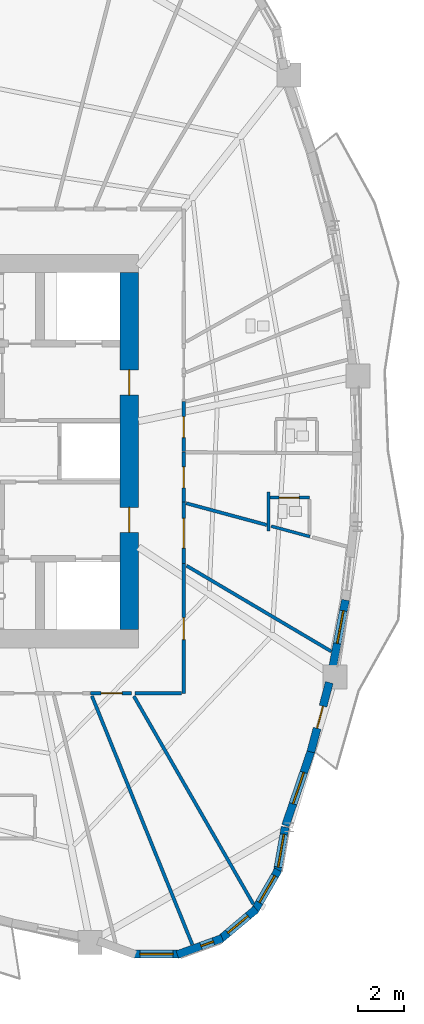
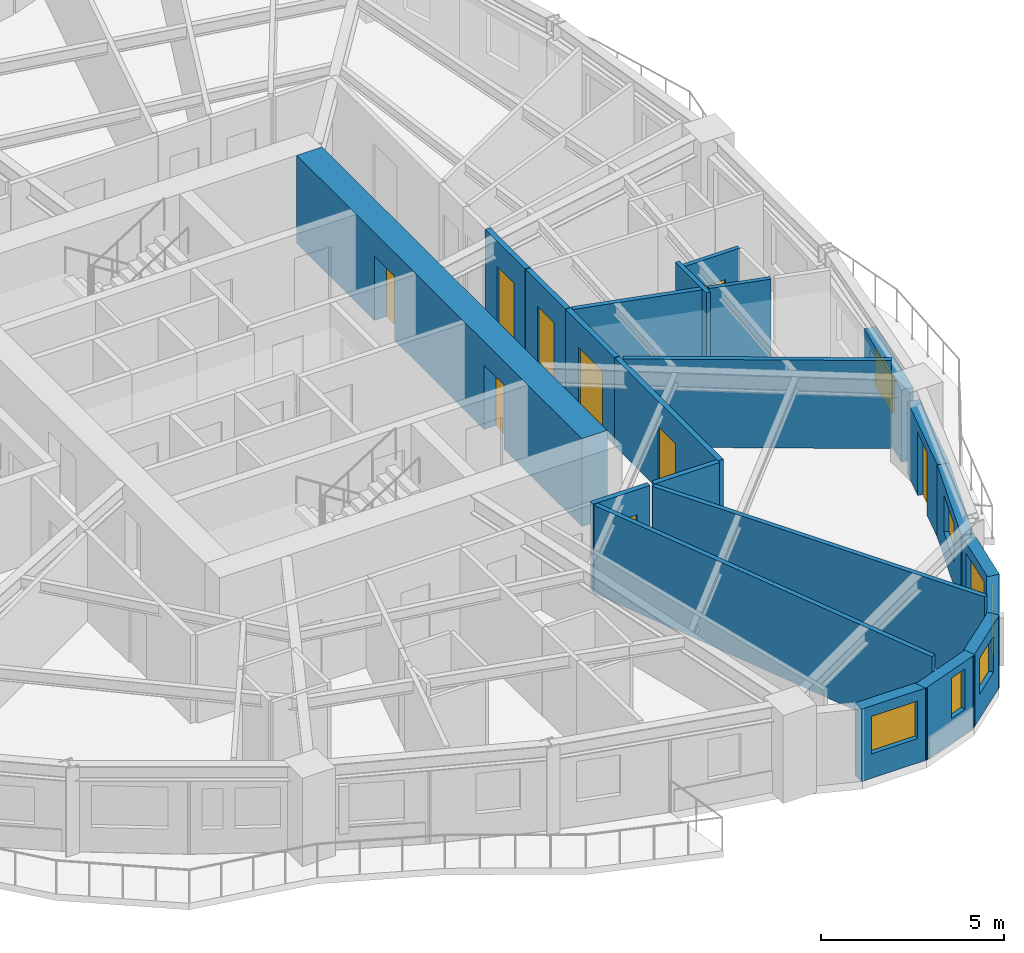
# One storey, part 6 of 13: 22 walls, 9 doors, 7 windows, 16 openings.
"""IFC4 building model written with IfcOpenShell, lengths in metres."""

from ifc_helpers import new_model, si_unit, direction, frame, frame_2d, origin, place, context, subcontext, project, spatial, rectangle, extrude, source, transform, mapped, material, layer, layer_set, type_object, element, fill, save


model = new_model("IFC4")

# Units and contexts
model_context = context("Model", 3, precision=1e-05, world=origin(), true_north=direction((0.0, 1.0)))
body_context = subcontext(model_context, "Body", "Model", "MODEL_VIEW")
ifc_project = project(units=[si_unit("LENGTHUNIT", "METRE"), si_unit("AREAUNIT", "SQUARE_METRE"), si_unit("VOLUMEUNIT", "CUBIC_METRE"), si_unit("PLANEANGLEUNIT", "RADIAN"), si_unit("MASSUNIT", "GRAM", prefix="KILO")], contexts=[model_context])

# Site, building, storey
site_placement = place(None, origin())
site = spatial("IfcSite", under=ifc_project, at=site_placement, CompositionType="ELEMENT")
building_placement = place(site_placement, origin())
building = spatial("IfcBuilding", under=site, at=building_placement, Name="Qafzar Sky-Pleat Residences", CompositionType="ELEMENT")
storey_placement = place(building_placement, frame((0.0, 0.0, 52.60009765625)))
storey = spatial("IfcBuildingStorey", under=building, at=storey_placement, Name="L15", CompositionType="ELEMENT", Elevation=52.60009765625)

# Wall, opening, door
ifc_material_1 = material(Name="Acoustic gypsum plasterboard partition", Category="gypsum")
ifc_layer_1 = layer(ifc_material_1, 0.159912109375)
ifc_layer_set_1 = layer_set([ifc_layer_1], Name="Acoustic gypsum plasterboard partition")
wall_type_1 = type_object("IfcWallType", Name="PART-COR-160", PredefinedType="PARTITIONING", material=ifc_layer_set_1)
wall_1_placement = place(storey_placement, frame((38.679931640625, 21.0859375, 0.0), z_axis=(0.0, 0.0, 1.0), x_axis=(0.0, -1.0, 0.0)))
wall_1 = element("IfcWall", 1, at=wall_1_placement, inside=storey, type_object=wall_type_1, Name="L15 Partition Wall PART-L15-PW-003", PredefinedType="PARTITIONING", context=body_context, shape_type="SweptSolid", body=[
    extrude(rectangle(XDim=5.666015625, YDim=0.159912109375, at=frame_2d((2.8330078125, 0.0))), origin(), (0.0, 0.0, 1.0), 2.93994140625),
])
opening_1_placement = place(wall_1_placement, frame((2.361572265625, 0.0, 0.0)))
opening_1 = element("IfcOpeningElement", 2, at=opening_1_placement, cuts=wall_1, Name="Opening ID-06", PredefinedType="OPENING", context=body_context, shape_type="SweptSolid", body=[
    extrude(rectangle(XDim=0.9599609375, YDim=2.10009765625, at=frame_2d((0.47998046875, 1.050048828125))), frame((0.0, 0.08984375, 0.0), z_axis=(0.0, -1.0, 0.0), x_axis=(1.0, 0.0, 0.0)), (0.0, 0.0, 1.0), 0.179931640625),
])
ifc_material_2 = material(Name="Timber-faced fire door", Category="wood")
door_type_1 = type_object("IfcDoorType", Name="DR-STD-960", OperationType="NOTDEFINED", PredefinedType="DOOR", material=ifc_material_2)
shared_shape_1 = source(origin(), body_context, "Body", "SweptSolid", [
    extrude(rectangle(XDim=0.9599609375, YDim=2.10009765625, at=frame_2d((0.47998046875, 1.050048828125))), frame((0.0, 0.02490234375, 0.0), z_axis=(0.0, -1.0, 0.0), x_axis=(1.0, 0.0, 0.0)), (0.0, 0.0, 1.0), 0.050048828125),
])
door_1_placement = place(opening_1_placement, origin())
door_1 = element("IfcDoor", 3, at=door_1_placement, inside=storey, type_object=door_type_1, Name="L15 Faculty Research Office Door", OperationType="SINGLE_SWING_RIGHT", OverallHeight=2.10009765625, OverallWidth=0.9599609375, PredefinedType="DOOR", context=body_context, shape_type="MappedRepresentation", body=[
    mapped(shared_shape_1, transform((0.0, 0.0, 0.0), x_axis=(1.0, 0.0, 0.0), y_axis=(0.0, 1.0, 0.0), z_axis=(0.0, 0.0, 1.0), scale=1.0)),
])
fill(opening_1, door_1)

wall_2_placement = place(storey_placement, frame((38.679931640625, 23.77001953125, 0.0), z_axis=(0.0, 0.0, 1.0), x_axis=(0.0, -1.0, 0.0)))
wall_2 = element("IfcWall", 4, at=wall_2_placement, inside=storey, type_object=wall_type_1, Name="L15 Partition Wall PART-L15-PW-011", PredefinedType="PARTITIONING", context=body_context, shape_type="SweptSolid", body=[
    extrude(rectangle(XDim=2.6689453125, YDim=0.159912109375, at=frame_2d((1.33447265625, 0.0))), origin(), (0.0, 0.0, 1.0), 2.93994140625),
])
opening_2_placement = place(wall_2_placement, frame((0.7080078125, 0.0, 0.0)))
opening_2 = element("IfcOpeningElement", 5, at=opening_2_placement, cuts=wall_2, Name="Opening ID-05", PredefinedType="OPENING", context=body_context, shape_type="SweptSolid", body=[
    extrude(rectangle(XDim=1.300048828125, YDim=2.10009765625, at=frame_2d((0.64990234375, 1.050048828125))), frame((0.0, 0.08984375, 0.0), z_axis=(0.0, -1.0, 0.0), x_axis=(1.0, 0.0, 0.0)), (0.0, 0.0, 1.0), 0.179931640625),
])
door_type_2 = type_object("IfcDoorType", Name="DR-LNG-1300", OperationType="DOUBLE_DOOR_SINGLE_SWING", PredefinedType="DOOR", material=ifc_material_2)
shared_shape_2 = source(origin(), body_context, "Body", "SweptSolid", [
    extrude(rectangle(XDim=1.300048828125, YDim=2.10009765625, at=frame_2d((0.64990234375, 1.050048828125))), frame((0.0, 0.02490234375, 0.0), z_axis=(0.0, -1.0, 0.0), x_axis=(1.0, 0.0, 0.0)), (0.0, 0.0, 1.0), 0.050048828125),
])
door_2_placement = place(opening_2_placement, origin())
door_2 = element("IfcDoor", 6, at=door_2_placement, inside=storey, type_object=door_type_2, Name="L15 Communal Kitchen Door", OperationType="DOUBLE_DOOR_SINGLE_SWING", OverallHeight=2.10009765625, OverallWidth=1.300048828125, PredefinedType="DOOR", context=body_context, shape_type="MappedRepresentation", body=[
    mapped(shared_shape_2, transform((0.0, 0.0, 0.0), x_axis=(1.0, 0.0, 0.0), y_axis=(0.0, 1.0, 0.0), z_axis=(0.0, 0.0, 1.0), scale=1.0)),
])
fill(opening_2, door_2)

wall_3_placement = place(storey_placement, frame((38.679931640625, 25.968017578125, 0.0), z_axis=(0.0, 0.0, 1.0), x_axis=(0.0, -1.0, 0.0)))
wall_3 = element("IfcWall", 7, at=wall_3_placement, inside=storey, type_object=wall_type_1, Name="L15 Partition Wall PART-L15-PW-014", PredefinedType="PARTITIONING", context=body_context, shape_type="SweptSolid", body=[
    extrude(rectangle(XDim=2.18310546875, YDim=0.159912109375, at=frame_2d((1.091552734375, 0.0))), origin(), (0.0, 0.0, 1.0), 2.93994140625),
])
opening_3_placement = place(wall_3_placement, frame((0.654052734375, 0.0, 0.0)))
opening_3 = element("IfcOpeningElement", 8, at=opening_3_placement, cuts=wall_3, Name="Opening ID-04", PredefinedType="OPENING", context=body_context, shape_type="SweptSolid", body=[
    extrude(rectangle(XDim=0.919921875, YDim=2.10009765625, at=frame_2d((0.4599609375, 1.050048828125))), frame((0.0, 0.08984375, 0.0), z_axis=(0.0, -1.0, 0.0), x_axis=(1.0, 0.0, 0.0)), (0.0, 0.0, 1.0), 0.179931640625),
])
door_type_3 = type_object("IfcDoorType", Name="DR-BED-920", OperationType="NOTDEFINED", PredefinedType="DOOR", material=ifc_material_2)
shared_shape_3 = source(origin(), body_context, "Body", "SweptSolid", [
    extrude(rectangle(XDim=0.919921875, YDim=2.10009765625, at=frame_2d((0.4599609375, 1.050048828125))), frame((0.0, 0.02490234375, 0.0), z_axis=(0.0, -1.0, 0.0), x_axis=(1.0, 0.0, 0.0)), (0.0, 0.0, 1.0), 0.050048828125),
])
door_3_placement = place(opening_3_placement, origin())
door_3 = element("IfcDoor", 9, at=door_3_placement, inside=storey, type_object=door_type_3, Name="L15 Co-Living Bedroom 3 Door", OperationType="SINGLE_SWING_RIGHT", OverallHeight=2.10009765625, OverallWidth=0.919921875, PredefinedType="DOOR", context=body_context, shape_type="MappedRepresentation", body=[
    mapped(shared_shape_3, transform((0.0, 0.0, 0.0), x_axis=(1.0, 0.0, 0.0), y_axis=(0.0, 1.0, 0.0), z_axis=(0.0, 0.0, 1.0), scale=1.0)),
])
fill(opening_3, door_3)

wall_4_placement = place(storey_placement, frame((38.679931640625, 28.1640625, 0.0), z_axis=(0.0, 0.0, 1.0), x_axis=(0.0, -1.0, 0.0)))
wall_4 = element("IfcWall", 10, at=wall_4_placement, inside=storey, type_object=wall_type_1, Name="L15 Partition Wall PART-L15-PW-015", PredefinedType="PARTITIONING", context=body_context, shape_type="SweptSolid", body=[
    extrude(rectangle(XDim=2.18115234375, YDim=0.159912109375, at=frame_2d((1.090576171875, 0.0))), origin(), (0.0, 0.0, 1.0), 2.93994140625),
])
opening_4_placement = place(wall_4_placement, frame((0.653564453125, 0.0, 0.0)))
opening_4 = element("IfcOpeningElement", 11, at=opening_4_placement, cuts=wall_4, Name="Opening ID-04", PredefinedType="OPENING", context=body_context, shape_type="SweptSolid", body=[
    extrude(rectangle(XDim=0.919921875, YDim=2.10009765625, at=frame_2d((0.4599609375, 1.050048828125))), frame((0.0, 0.08984375, 0.0), z_axis=(0.0, -1.0, 0.0), x_axis=(1.0, 0.0, 0.0)), (0.0, 0.0, 1.0), 0.179931640625),
])
door_4_placement = place(opening_4_placement, origin())
door_4 = element("IfcDoor", 12, at=door_4_placement, inside=storey, type_object=door_type_3, Name="L15 Co-Living Bedroom 4 Door", OperationType="SINGLE_SWING_LEFT", OverallHeight=2.10009765625, OverallWidth=0.919921875, PredefinedType="DOOR", context=body_context, shape_type="MappedRepresentation", body=[
    mapped(shared_shape_3, transform((0.0, 0.0, 0.0), x_axis=(1.0, 0.0, 0.0), y_axis=(0.0, 1.0, 0.0), z_axis=(0.0, 0.0, 1.0), scale=1.0)),
])
fill(opening_4, door_4)

wall_5_placement = place(storey_placement, frame((36.39794921875, 15.419921875, 0.0), z_axis=(0.0, 0.0, 1.0), x_axis=(-1.0, 0.0, 0.0)))
wall_5 = element("IfcWall", 13, at=wall_5_placement, inside=storey, type_object=wall_type_1, Name="L15 Partition Wall PART-L15-PW-025", PredefinedType="PARTITIONING", context=body_context, shape_type="SweptSolid", body=[
    extrude(rectangle(XDim=1.7919921875, YDim=0.159912109375, at=frame_2d((0.89599609375, 0.0))), origin(), (0.0, 0.0, 1.0), 2.93994140625),
])
opening_5_placement = place(wall_5_placement, frame((0.410888671875, 0.0, 0.0)))
opening_5 = element("IfcOpeningElement", 14, at=opening_5_placement, cuts=wall_5, Name="Opening ID-04", PredefinedType="OPENING", context=body_context, shape_type="SweptSolid", body=[
    extrude(rectangle(XDim=0.919921875, YDim=2.10009765625, at=frame_2d((0.4599609375, 1.050048828125))), frame((0.0, 0.08984375, 0.0), z_axis=(0.0, -1.0, 0.0), x_axis=(1.0, 0.0, 0.0)), (0.0, 0.0, 1.0), 0.179931640625),
])
door_5_placement = place(opening_5_placement, origin())
door_5 = element("IfcDoor", 15, at=door_5_placement, inside=storey, type_object=door_type_3, Name="L15 Co-Living Bedroom 2 Door", OperationType="SINGLE_SWING_LEFT", OverallHeight=2.10009765625, OverallWidth=0.919921875, PredefinedType="DOOR", context=body_context, shape_type="MappedRepresentation", body=[
    mapped(shared_shape_3, transform((0.0, 0.0, 0.0), x_axis=(1.0, 0.0, 0.0), y_axis=(0.0, 1.0, 0.0), z_axis=(0.0, 0.0, 1.0), scale=1.0)),
])
fill(opening_5, door_5)

# Walls
wall_6_placement = place(storey_placement, frame((36.550537109375, 15.419921875, 0.0), z_axis=(0.0, 0.0, 1.0), x_axis=(1.0, 0.0, 0.0)))
element("IfcWall", 16, at=wall_6_placement, inside=storey, type_object=wall_type_1, Name="L15 Partition Wall PART-L15-PW-056", PredefinedType="PARTITIONING", context=body_context, shape_type="SweptSolid", body=[
    extrude(rectangle(XDim=2.04150390625, YDim=0.159912109375, at=frame_2d((1.020751953125, 0.0))), origin(), (0.0, 0.0, 1.0), 2.93994140625),
])
ifc_layer_2 = layer(ifc_material_1, 0.14501953125)
ifc_layer_set_2 = layer_set([ifc_layer_2], Name="Acoustic gypsum plasterboard partition")
wall_type_2 = type_object("IfcWallType", Name="PART-UNIT-145", PredefinedType="PARTITIONING", material=ifc_layer_set_2)
wall_7_placement = place(storey_placement, frame((34.669189453125, 15.305419921875, 0.0), z_axis=(0.0, 0.0, 1.0), x_axis=(0.374459605158, -0.927243228126, 0.0)))
element("IfcWall", 17, at=wall_7_placement, inside=storey, type_object=wall_type_2, Name="L15 Partition Wall PART-L15-PW-031", PredefinedType="PARTITIONING", context=body_context, shape_type="SweptSolid", body=[
    extrude(rectangle(XDim=11.719482421875, YDim=0.14501953125, at=frame_2d((5.85986328125, 0.0))), origin(), (0.0, 0.0, 1.0), 2.93994140625),
])
wall_8_placement = place(storey_placement, frame((36.501708984375, 15.296875, 0.0), z_axis=(0.0, 0.0, 1.0), x_axis=(0.498240240214, -0.867039020478, 0.0)))
element("IfcWall", 18, at=wall_8_placement, inside=storey, type_object=wall_type_2, Name="L15 Partition Wall PART-L15-PW-037", PredefinedType="PARTITIONING", context=body_context, shape_type="SweptSolid", body=[
    extrude(rectangle(XDim=10.490478515625, YDim=0.14501953125, at=frame_2d((5.2451171875, 0.0))), origin(), (0.0, 0.0, 1.0), 2.93994140625),
])
wall_9_placement = place(storey_placement, frame((38.8037109375, 20.99560546875, 0.0), z_axis=(0.0, 0.0, 1.0), x_axis=(0.860541640281, -0.509380099084, 0.0)))
element("IfcWall", 19, at=wall_9_placement, inside=storey, type_object=wall_type_2, Name="L15 Partition Wall PART-L15-PW-040", PredefinedType="PARTITIONING", context=body_context, shape_type="SweptSolid", body=[
    extrude(rectangle(XDim=7.354248046875, YDim=0.14501953125, at=frame_2d((3.67724609375, 0.0))), origin(), (0.0, 0.0, 1.0), 2.93994140625),
])
wall_10_placement = place(storey_placement, frame((38.78662109375, 23.726318359375, 0.0), z_axis=(0.0, 0.0, 1.0), x_axis=(0.965490888833, -0.260436832228, 0.0)))
element("IfcWall", 20, at=wall_10_placement, inside=storey, type_object=wall_type_2, Name="L15 Partition Wall PART-L15-PW-048", PredefinedType="PARTITIONING", context=body_context, shape_type="SweptSolid", body=[
    extrude(rectangle(XDim=3.646484375, YDim=0.14501953125, at=frame_2d((1.8232421875, 0.0))), origin(), (0.0, 0.0, 1.0), 2.93994140625),
])

# Wall, opening, door
ifc_material_3 = material(Name="Moisture-resistant gypsum partition", Category="gypsum")
ifc_layer_3 = layer(ifc_material_3, 0.1298828125)
ifc_layer_set_3 = layer_set([ifc_layer_3], Name="Moisture-resistant gypsum partition")
wall_type_3 = type_object("IfcWallType", Name="PART-WET-130", PredefinedType="PARTITIONING", material=ifc_layer_set_3)
wall_11_placement = place(storey_placement, frame((44.18408203125, 23.971923828125, 0.0), z_axis=(0.0, 0.0, 1.0), x_axis=(-1.0, 0.0, 0.0)))
wall_11 = element("IfcWall", 21, at=wall_11_placement, inside=storey, type_object=wall_type_3, Name="L15 Partition Wall PART-L15-PW-024", PredefinedType="PARTITIONING", context=body_context, shape_type="SweptSolid", body=[
    extrude(rectangle(XDim=1.72705078125, YDim=0.1298828125, at=frame_2d((0.863525390625, 0.0))), origin(), (0.0, 0.0, 1.0), 2.93994140625),
])
opening_6_placement = place(wall_11_placement, frame((0.4599609375, 0.0, 0.0)))
opening_6 = element("IfcOpeningElement", 22, at=opening_6_placement, cuts=wall_11, Name="Opening ID-07", PredefinedType="OPENING", context=body_context, shape_type="SweptSolid", body=[
    extrude(rectangle(XDim=0.8798828125, YDim=2.050048828125, at=frame_2d((0.43994140625, 1.02490234375))), frame((0.0, 0.074951171875, 0.0), z_axis=(0.0, -1.0, 0.0), x_axis=(1.0, 0.0, 0.0)), (0.0, 0.0, 1.0), 0.14990234375),
])
door_type_4 = type_object("IfcDoorType", Name="DR-WET-880", OperationType="NOTDEFINED", PredefinedType="DOOR", material=ifc_material_2)
shared_shape_4 = source(origin(), body_context, "Body", "SweptSolid", [
    extrude(rectangle(XDim=0.8798828125, YDim=2.050048828125, at=frame_2d((0.43994140625, 1.02490234375))), frame((0.0, 0.02490234375, 0.0), z_axis=(0.0, -1.0, 0.0), x_axis=(1.0, 0.0, 0.0)), (0.0, 0.0, 1.0), 0.050048828125),
])
door_6_placement = place(opening_6_placement, origin())
door_6 = element("IfcDoor", 23, at=door_6_placement, inside=storey, type_object=door_type_4, Name="L15 En-suite Bathroom 3 Door", OperationType="SINGLE_SWING_RIGHT", OverallHeight=2.050048828125, OverallWidth=0.8798828125, PredefinedType="DOOR", context=body_context, shape_type="MappedRepresentation", body=[
    mapped(shared_shape_4, transform((0.0, 0.0, 0.0), x_axis=(1.0, 0.0, 0.0), y_axis=(0.0, 1.0, 0.0), z_axis=(0.0, 0.0, 1.0), scale=1.0)),
])
fill(opening_6, door_6)

# Walls
wall_12_placement = place(storey_placement, frame((42.503173828125, 22.723876953125, 0.0), z_axis=(0.0, 0.0, 1.0), x_axis=(0.965583538466, -0.260093118409, 0.0)))
element("IfcWall", 24, at=wall_12_placement, inside=storey, type_object=wall_type_3, Name="L15 Partition Wall PART-L15-PW-060", PredefinedType="PARTITIONING", context=body_context, shape_type="SweptSolid", body=[
    extrude(rectangle(XDim=1.75634765625, YDim=0.1298828125, at=frame_2d((0.878173828125, 0.0))), origin(), (0.0, 0.0, 1.0), 2.93994140625),
])
wall_13_placement = place(storey_placement, frame((42.384033203125, 22.51611328125, 0.0), z_axis=(0.0, 0.0, 1.0), x_axis=(0.0, 1.0, 0.0)))
element("IfcWall", 25, at=wall_13_placement, inside=storey, type_object=wall_type_3, Name="L15 Partition Wall PART-L15-PW-082", PredefinedType="PARTITIONING", context=body_context, shape_type="SweptSolid", body=[
    extrude(rectangle(XDim=1.69580078125, YDim=0.1298828125, at=frame_2d((0.847900390625, 0.0))), origin(), (0.0, 0.0, 1.0), 2.93994140625),
])

# Wall, opening, window
ifc_material_4 = material(Name="Precast concrete C40/50 with honed Riyadh limestone", Category="concrete")
ifc_layer_4 = layer(ifc_material_4, 0.35009765625)
ifc_layer_set_4 = layer_set([ifc_layer_4], Name="Precast concrete C40/50 with honed Riyadh limestone")
wall_type_4 = type_object("IfcWallType", Name="WALL-EXT-350", PredefinedType="SOLIDWALL", material=ifc_layer_set_4)
wall_14_placement = place(storey_placement, frame((36.44482421875, 4.02587890625, 0.0), z_axis=(0.0, 0.0, 1.0), x_axis=(1.0, 0.0, 0.0)))
wall_14 = element("IfcWall", 26, at=wall_14_placement, inside=storey, type_object=wall_type_4, Name="L15 Limestone Facade Wall 18", PredefinedType="SOLIDWALL", context=body_context, shape_type="SweptSolid", body=[
    extrude(rectangle(XDim=2.09033203125, YDim=0.35009765625, at=frame_2d((1.045166015625, 0.0))), origin(), (0.0, 0.0, 1.0), 2.419921875),
])
opening_7_placement = place(wall_14_placement, frame((0.3203125, 0.0, 0.820068359375)))
opening_7 = element("IfcOpeningElement", 27, at=opening_7_placement, cuts=wall_14, Name="Opening WN-15", PredefinedType="OPENING", context=body_context, shape_type="SweptSolid", body=[
    extrude(rectangle(XDim=1.449951171875, YDim=1.25, at=frame_2d((0.72509765625, 0.625))), frame((0.0, 0.18505859375, 0.0), z_axis=(0.0, -1.0, 0.0), x_axis=(1.0, 0.0, 0.0)), (0.0, 0.0, 1.0), 0.3701171875),
])
ifc_material_5 = material(Name="Solar-control low-E glass in bronze aluminium frame", Category="glass")
window_type_1 = type_object("IfcWindowType", Name="WIN-15", PartitioningType="SINGLE_PANEL", PredefinedType="WINDOW", material=ifc_material_5)
shared_shape_5 = source(origin(), body_context, "Body", "SweptSolid", [
    extrude(rectangle(XDim=1.449951171875, YDim=1.25, at=frame_2d((0.72509765625, 0.625))), frame((0.0, 0.030029296875, 0.0), z_axis=(0.0, -1.0, 0.0), x_axis=(1.0, 0.0, 0.0)), (0.0, 0.0, 1.0), 0.06005859375),
])
window_1_placement = place(opening_7_placement, origin())
window_1 = element("IfcWindow", 28, at=window_1_placement, inside=storey, type_object=window_type_1, Name="L15 Punched Facade Window 18", OverallHeight=1.25, OverallWidth=1.449951171875, PartitioningType="SINGLE_PANEL", PredefinedType="WINDOW", context=body_context, shape_type="MappedRepresentation", body=[
    mapped(shared_shape_5, transform((0.0, 0.0, 0.0), x_axis=(1.0, 0.0, 0.0), y_axis=(0.0, 1.0, 0.0), z_axis=(0.0, 0.0, 1.0), scale=1.0)),
])
fill(opening_7, window_1)

wall_15_placement = place(storey_placement, frame((38.401611328125, 4.00244140625, 0.0), z_axis=(0.0, 0.0, 1.0), x_axis=(0.939711556618, 0.341968113072, 0.0)))
wall_15 = element("IfcWall", 29, at=wall_15_placement, inside=storey, type_object=wall_type_4, Name="L15 Limestone Facade Wall 19", PredefinedType="SOLIDWALL", context=body_context, shape_type="SweptSolid", body=[
    extrude(rectangle(XDim=2.09033203125, YDim=0.35009765625, at=frame_2d((1.045166015625, 0.0))), origin(), (0.0, 0.0, 1.0), 2.419921875),
])
opening_8_placement = place(wall_15_placement, frame((1.09814453125, 0.0, 0.820068359375)))
opening_8 = element("IfcOpeningElement", 30, at=opening_8_placement, cuts=wall_15, Name="Opening WN-17", PredefinedType="OPENING", context=body_context, shape_type="SweptSolid", body=[
    extrude(rectangle(XDim=0.580078125, YDim=1.35009765625, at=frame_2d((0.2900390625, 0.675048828125))), frame((0.0, 0.18505859375, 0.0), z_axis=(0.0, -1.0, 0.0), x_axis=(1.0, 0.0, 0.0)), (0.0, 0.0, 1.0), 0.3701171875),
])
window_type_2 = type_object("IfcWindowType", Name="WIN-17", PartitioningType="SINGLE_PANEL", PredefinedType="WINDOW", material=ifc_material_5)
shared_shape_6 = source(origin(), body_context, "Body", "SweptSolid", [
    extrude(rectangle(XDim=0.580078125, YDim=1.35009765625, at=frame_2d((0.2900390625, 0.675048828125))), frame((0.0, 0.030029296875, 0.0), z_axis=(0.0, -1.0, 0.0), x_axis=(1.0, 0.0, 0.0)), (0.0, 0.0, 1.0), 0.06005859375),
])
window_2_placement = place(opening_8_placement, origin())
window_2 = element("IfcWindow", 31, at=window_2_placement, inside=storey, type_object=window_type_2, Name="L15 Punched Facade Window 19-2", OverallHeight=1.35009765625, OverallWidth=0.580078125, PartitioningType="SINGLE_PANEL", PredefinedType="WINDOW", context=body_context, shape_type="MappedRepresentation", body=[
    mapped(shared_shape_6, transform((0.0, 0.0, 0.0), x_axis=(1.0, 0.0, 0.0), y_axis=(0.0, 1.0, 0.0), z_axis=(0.0, 0.0, 1.0), scale=1.0)),
])
fill(opening_8, window_2)

wall_16_placement = place(storey_placement, frame((40.248291015625, 4.6494140625, 0.0), z_axis=(0.0, 0.0, 1.0), x_axis=(0.766024572719, 0.642811289563, 0.0)))
wall_16 = element("IfcWall", 32, at=wall_16_placement, inside=storey, type_object=wall_type_4, Name="L15 Limestone Facade Wall 20", PredefinedType="SOLIDWALL", context=body_context, shape_type="SweptSolid", body=[
    extrude(rectangle(XDim=2.09033203125, YDim=0.35009765625, at=frame_2d((1.045166015625, 0.0))), origin(), (0.0, 0.0, 1.0), 2.419921875),
])
opening_9_placement = place(wall_16_placement, frame((0.47021484375, 0.0, 0.820068359375)))
opening_9 = element("IfcOpeningElement", 33, at=opening_9_placement, cuts=wall_16, Name="Opening WN-16", PredefinedType="OPENING", context=body_context, shape_type="SweptSolid", body=[
    extrude(rectangle(XDim=1.14990234375, YDim=1.199951171875, at=frame_2d((0.574951171875, 0.60009765625))), frame((0.0, 0.18505859375, 0.0), z_axis=(0.0, -1.0, 0.0), x_axis=(1.0, 0.0, 0.0)), (0.0, 0.0, 1.0), 0.3701171875),
])
window_type_3 = type_object("IfcWindowType", Name="WIN-16", PartitioningType="SINGLE_PANEL", PredefinedType="WINDOW", material=ifc_material_5)
shared_shape_7 = source(origin(), body_context, "Body", "SweptSolid", [
    extrude(rectangle(XDim=1.14990234375, YDim=1.199951171875, at=frame_2d((0.574951171875, 0.60009765625))), frame((0.0, 0.030029296875, 0.0), z_axis=(0.0, -1.0, 0.0), x_axis=(1.0, 0.0, 0.0)), (0.0, 0.0, 1.0), 0.06005859375),
])
window_3_placement = place(opening_9_placement, origin())
window_3 = element("IfcWindow", 34, at=window_3_placement, inside=storey, type_object=window_type_3, Name="L15 Punched Facade Window 20", OverallHeight=1.199951171875, OverallWidth=1.14990234375, PartitioningType="SINGLE_PANEL", PredefinedType="WINDOW", context=body_context, shape_type="MappedRepresentation", body=[
    mapped(shared_shape_7, transform((0.0, 0.0, 0.0), x_axis=(1.0, 0.0, 0.0), y_axis=(0.0, 1.0, 0.0), z_axis=(0.0, 0.0, 1.0), scale=1.0)),
])
fill(opening_9, window_3)

wall_17_placement = place(storey_placement, frame((41.762451171875, 5.889404296875, 0.0), z_axis=(0.0, 0.0, 1.0), x_axis=(0.500046000743, 0.865998843614, 0.0)))
wall_17 = element("IfcWall", 35, at=wall_17_placement, inside=storey, type_object=wall_type_4, Name="L15 Limestone Facade Wall 21", PredefinedType="SOLIDWALL", context=body_context, shape_type="SweptSolid", body=[
    extrude(rectangle(XDim=2.090087890625, YDim=0.35009765625, at=frame_2d((1.044921875, 0.0))), origin(), (0.0, 0.0, 1.0), 2.419921875),
])
opening_10_placement = place(wall_17_placement, frame((0.450927734375, 0.0, 0.820068359375)))
opening_10 = element("IfcOpeningElement", 36, at=opening_10_placement, cuts=wall_17, Name="Opening WN-04", PredefinedType="OPENING", context=body_context, shape_type="SweptSolid", body=[
    extrude(rectangle(XDim=1.35009765625, YDim=1.449951171875, at=frame_2d((0.675048828125, 0.72509765625))), frame((0.0, 0.18505859375, 0.0), z_axis=(0.0, -1.0, 0.0), x_axis=(1.0, 0.0, 0.0)), (0.0, 0.0, 1.0), 0.3701171875),
])
window_type_4 = type_object("IfcWindowType", Name="WIN-04", PartitioningType="SINGLE_PANEL", PredefinedType="WINDOW", material=ifc_material_5)
shared_shape_8 = source(origin(), body_context, "Body", "SweptSolid", [
    extrude(rectangle(XDim=1.35009765625, YDim=1.449951171875, at=frame_2d((0.675048828125, 0.72509765625))), frame((0.0, 0.030029296875, 0.0), z_axis=(0.0, -1.0, 0.0), x_axis=(1.0, 0.0, 0.0)), (0.0, 0.0, 1.0), 0.06005859375),
])
window_4_placement = place(opening_10_placement, origin())
window_4 = element("IfcWindow", 37, at=window_4_placement, inside=storey, type_object=window_type_4, Name="L15 Punched Facade Window 21", OverallHeight=1.449951171875, OverallWidth=1.35009765625, PartitioningType="SINGLE_PANEL", PredefinedType="WINDOW", context=body_context, shape_type="MappedRepresentation", body=[
    mapped(shared_shape_8, transform((0.0, 0.0, 0.0), x_axis=(1.0, 0.0, 0.0), y_axis=(0.0, 1.0, 0.0), z_axis=(0.0, 0.0, 1.0), scale=1.0)),
])
fill(opening_10, window_4)

wall_18_placement = place(storey_placement, frame((42.76123046875, 7.572021484375, 0.0), z_axis=(0.0, 0.0, 1.0), x_axis=(0.17370309897, 0.984798067326, 0.0)))
wall_18 = element("IfcWall", 38, at=wall_18_placement, inside=storey, type_object=wall_type_4, Name="L15 Limestone Facade Wall 22", PredefinedType="SOLIDWALL", context=body_context, shape_type="SweptSolid", body=[
    extrude(rectangle(XDim=2.032470703125, YDim=0.35009765625, at=frame_2d((1.01611328125, 0.0))), origin(), (0.0, 0.0, 1.0), 2.419921875),
])
opening_11_placement = place(wall_18_placement, frame((0.26123046875, 0.0, 0.820068359375)))
opening_11 = element("IfcOpeningElement", 39, at=opening_11_placement, cuts=wall_18, Name="Opening WN-15", PredefinedType="OPENING", context=body_context, shape_type="SweptSolid", body=[
    extrude(rectangle(XDim=1.449951171875, YDim=1.25, at=frame_2d((0.72509765625, 0.625))), frame((0.0, 0.18505859375, 0.0), z_axis=(0.0, -1.0, 0.0), x_axis=(1.0, 0.0, 0.0)), (0.0, 0.0, 1.0), 0.3701171875),
])
window_5_placement = place(opening_11_placement, origin())
window_5 = element("IfcWindow", 40, at=window_5_placement, inside=storey, type_object=window_type_1, Name="L15 Punched Facade Window 22", OverallHeight=1.25, OverallWidth=1.449951171875, PartitioningType="SINGLE_PANEL", PredefinedType="WINDOW", context=body_context, shape_type="MappedRepresentation", body=[
    mapped(shared_shape_5, transform((0.0, 0.0, 0.0), x_axis=(1.0, 0.0, 0.0), y_axis=(0.0, 1.0, 0.0), z_axis=(0.0, 0.0, 1.0), scale=1.0)),
])
fill(opening_11, window_5)

wall_19_placement = place(storey_placement, frame((43.130859375, 9.638427734375, 0.0), z_axis=(0.0, 0.0, 1.0), x_axis=(0.32360039121, 0.94619384209, 0.0)))
wall_19 = element("IfcWall", 41, at=wall_19_placement, inside=storey, type_object=wall_type_4, Name="L15 Limestone Facade Wall 23", PredefinedType="SOLIDWALL", context=body_context, shape_type="SweptSolid", body=[
    extrude(rectangle(XDim=3.492431640625, YDim=0.35009765625, at=frame_2d((1.74609375, 0.0))), origin(), (0.0, 0.0, 1.0), 2.419921875),
])
opening_12_placement = place(wall_19_placement, frame((1.01123046875, 0.0, 0.820068359375)))
opening_12 = element("IfcOpeningElement", 42, at=opening_12_placement, cuts=wall_19, Name="Opening WN-15", PredefinedType="OPENING", context=body_context, shape_type="SweptSolid", body=[
    extrude(rectangle(XDim=1.449951171875, YDim=1.25, at=frame_2d((0.72509765625, 0.625))), frame((0.0, 0.18505859375, 0.0), z_axis=(0.0, -1.0, 0.0), x_axis=(1.0, 0.0, 0.0)), (0.0, 0.0, 1.0), 0.3701171875),
])
window_6_placement = place(opening_12_placement, origin())
window_6 = element("IfcWindow", 43, at=window_6_placement, inside=storey, type_object=window_type_1, Name="L15 Punched Facade Window 23", OverallHeight=1.25, OverallWidth=1.449951171875, PartitioningType="SINGLE_PANEL", PredefinedType="WINDOW", context=body_context, shape_type="MappedRepresentation", body=[
    mapped(shared_shape_5, transform((0.0, 0.0, 0.0), x_axis=(1.0, 0.0, 0.0), y_axis=(0.0, 1.0, 0.0), z_axis=(0.0, 0.0, 1.0), scale=1.0)),
])
fill(opening_12, window_6)

# Wall, opening, door
wall_20_placement = place(storey_placement, frame((44.2353515625, 12.858642578125, 0.0), z_axis=(0.0, 0.0, 1.0), x_axis=(0.257072148239, 0.966392213648, 0.0)))
wall_20 = element("IfcWall", 44, at=wall_20_placement, inside=storey, type_object=wall_type_4, Name="L15 Limestone Facade Wall 24", PredefinedType="SOLIDWALL", context=body_context, shape_type="SweptSolid", body=[
    extrude(rectangle(XDim=3.1396484375, YDim=0.35009765625, at=frame_2d((1.56982421875, 0.0))), origin(), (0.0, 0.0, 1.0), 2.419921875),
])
opening_13_placement = place(wall_20_placement, frame((1.06982421875, 0.0, 0.0)))
opening_13 = element("IfcOpeningElement", 45, at=opening_13_placement, cuts=wall_20, Name="Opening ED-05", PredefinedType="OPENING", context=body_context, shape_type="SweptSolid", body=[
    extrude(rectangle(XDim=1.0, YDim=2.10009765625, at=frame_2d((0.5, 1.050048828125))), frame((0.0, 0.18505859375, 0.0), z_axis=(0.0, -1.0, 0.0), x_axis=(1.0, 0.0, 0.0)), (0.0, 0.0, 1.0), 0.3701171875),
])
ifc_material_6 = material(Name="Glazed bronze aluminium door", Category="aluminium")
door_type_5 = type_object("IfcDoorType", Name="DR-BAL-1000", OperationType="NOTDEFINED", PredefinedType="DOOR", material=ifc_material_6)
shared_shape_9 = source(origin(), body_context, "Body", "SweptSolid", [
    extrude(rectangle(XDim=1.0, YDim=2.10009765625, at=frame_2d((0.5, 1.050048828125))), frame((0.0, 0.02490234375, 0.0), z_axis=(0.0, -1.0, 0.0), x_axis=(1.0, 0.0, 0.0)), (0.0, 0.0, 1.0), 0.050048828125),
])
door_7_placement = place(opening_13_placement, origin())
door_7 = element("IfcDoor", 46, at=door_7_placement, inside=storey, type_object=door_type_5, Name="L15 Glazed Balcony Door 1", OperationType="SINGLE_SWING_LEFT", OverallHeight=2.10009765625, OverallWidth=1.0, PredefinedType="DOOR", context=body_context, shape_type="MappedRepresentation", body=[
    mapped(shared_shape_9, transform((0.0, 0.0, 0.0), x_axis=(1.0, 0.0, 0.0), y_axis=(0.0, 1.0, 0.0), z_axis=(0.0, 0.0, 1.0), scale=1.0)),
])
fill(opening_13, door_7)

# Wall, opening, window
wall_21_placement = place(storey_placement, frame((45.1728515625, 16.465087890625, 0.0), z_axis=(0.0, 0.0, 1.0), x_axis=(0.186653769851, 0.982425758111, 0.0)))
wall_21 = element("IfcWall", 47, at=wall_21_placement, inside=storey, type_object=wall_type_4, Name="L15 Limestone Facade Wall 25", PredefinedType="SOLIDWALL", context=body_context, shape_type="SweptSolid", body=[
    extrude(rectangle(XDim=3.084228515625, YDim=0.35009765625, at=frame_2d((1.5419921875, 0.0))), origin(), (0.0, 0.0, 1.0), 2.419921875),
])
opening_14_placement = place(wall_21_placement, frame((1.15478515625, 0.0, 0.820068359375)))
opening_14 = element("IfcOpeningElement", 48, at=opening_14_placement, cuts=wall_21, Name="Opening WN-15", PredefinedType="OPENING", context=body_context, shape_type="SweptSolid", body=[
    extrude(rectangle(XDim=1.449951171875, YDim=1.25, at=frame_2d((0.72509765625, 0.625))), frame((0.0, 0.18505859375, 0.0), z_axis=(0.0, -1.0, 0.0), x_axis=(1.0, 0.0, 0.0)), (0.0, 0.0, 1.0), 0.3701171875),
])
window_7_placement = place(opening_14_placement, origin())
window_7 = element("IfcWindow", 49, at=window_7_placement, inside=storey, type_object=window_type_1, Name="L15 Punched Facade Window 25-2", OverallHeight=1.25, OverallWidth=1.449951171875, PartitioningType="SINGLE_PANEL", PredefinedType="WINDOW", context=body_context, shape_type="MappedRepresentation", body=[
    mapped(shared_shape_5, transform((0.0, 0.0, 0.0), x_axis=(1.0, 0.0, 0.0), y_axis=(0.0, 1.0, 0.0), z_axis=(0.0, 0.0, 1.0), scale=1.0)),
])
fill(opening_14, window_7)

# Wall, openings, doors
ifc_material_7 = material(Name="Concrete C60/75", Category="concrete")
ifc_layer_5 = layer(ifc_material_7, 0.800048828125)
ifc_layer_set_5 = layer_set([ifc_layer_5], Name="Concrete C60/75")
wall_type_5 = type_object("IfcWallType", Name="WALL-SHEAR-800", PredefinedType="SHEAR", material=ifc_layer_set_5)
wall_22_placement = place(storey_placement, frame((36.300048828125, 18.199951171875, 0.0), z_axis=(0.0, 0.0, 1.0), x_axis=(0.0, 1.0, 0.0)))
wall_22 = element("IfcWall", 50, at=wall_22_placement, inside=storey, type_object=wall_type_5, Name="L15 CORE wall E", PredefinedType="SHEAR", context=body_context, shape_type="SweptSolid", body=[
    extrude(rectangle(XDim=15.60009765625, YDim=0.800048828125, at=frame_2d((7.800048828125, 0.0))), origin(), (0.0, 0.0, 1.0), 2.93994140625),
])
opening_15_placement = place(wall_22_placement, frame((4.25, 0.0, 0.0)))
opening_15 = element("IfcOpeningElement", 51, at=opening_15_placement, cuts=wall_22, Name="Opening ID-02", PredefinedType="OPENING", context=body_context, shape_type="SweptSolid", body=[
    extrude(rectangle(XDim=1.10009765625, YDim=2.14990234375, at=frame_2d((0.550048828125, 1.074951171875))), frame((0.0, 0.41015625, 0.0), z_axis=(0.0, -1.0, 0.0), x_axis=(1.0, 0.0, 0.0)), (0.0, 0.0, 1.0), 0.820068359375),
])
opening_16_placement = place(wall_22_placement, frame((10.25, 0.0, 0.0)))
opening_16 = element("IfcOpeningElement", 52, at=opening_16_placement, cuts=wall_22, Name="Opening ID-02", PredefinedType="OPENING", context=body_context, shape_type="SweptSolid", body=[
    extrude(rectangle(XDim=1.10009765625, YDim=2.14990234375, at=frame_2d((0.550048828125, 1.074951171875))), frame((0.0, 0.41015625, 0.0), z_axis=(0.0, -1.0, 0.0), x_axis=(1.0, 0.0, 0.0)), (0.0, 0.0, 1.0), 0.820068359375),
])
door_type_6 = type_object("IfcDoorType", Name="DR-FFL-1100", OperationType="NOTDEFINED", PredefinedType="DOOR", material=ifc_material_2)
shared_shape_10 = source(origin(), body_context, "Body", "SweptSolid", [
    extrude(rectangle(XDim=1.10009765625, YDim=2.14990234375, at=frame_2d((0.550048828125, 1.074951171875))), frame((0.0, 0.02490234375, 0.0), z_axis=(0.0, -1.0, 0.0), x_axis=(1.0, 0.0, 0.0)), (0.0, 0.0, 1.0), 0.050048828125),
])
door_8_placement = place(opening_15_placement, origin())
door_8 = element("IfcDoor", 53, at=door_8_placement, inside=storey, type_object=door_type_6, Name="L15 Firefighting Lobby South Corridor Door", OperationType="SINGLE_SWING_LEFT", OverallHeight=2.14990234375, OverallWidth=1.10009765625, PredefinedType="DOOR", context=body_context, shape_type="MappedRepresentation", body=[
    mapped(shared_shape_10, transform((0.0, 0.0, 0.0), x_axis=(1.0, 0.0, 0.0), y_axis=(0.0, 1.0, 0.0), z_axis=(0.0, 0.0, 1.0), scale=1.0)),
])
fill(opening_15, door_8)
door_9_placement = place(opening_16_placement, origin())
door_9 = element("IfcDoor", 54, at=door_9_placement, inside=storey, type_object=door_type_6, Name="L15 Firefighting Lobby North Corridor Door", OperationType="SINGLE_SWING_RIGHT", OverallHeight=2.14990234375, OverallWidth=1.10009765625, PredefinedType="DOOR", context=body_context, shape_type="MappedRepresentation", body=[
    mapped(shared_shape_10, transform((0.0, 0.0, 0.0), x_axis=(1.0, 0.0, 0.0), y_axis=(0.0, 1.0, 0.0), z_axis=(0.0, 0.0, 1.0), scale=1.0)),
])
fill(opening_16, door_9)

save(model, "model.ifc")
